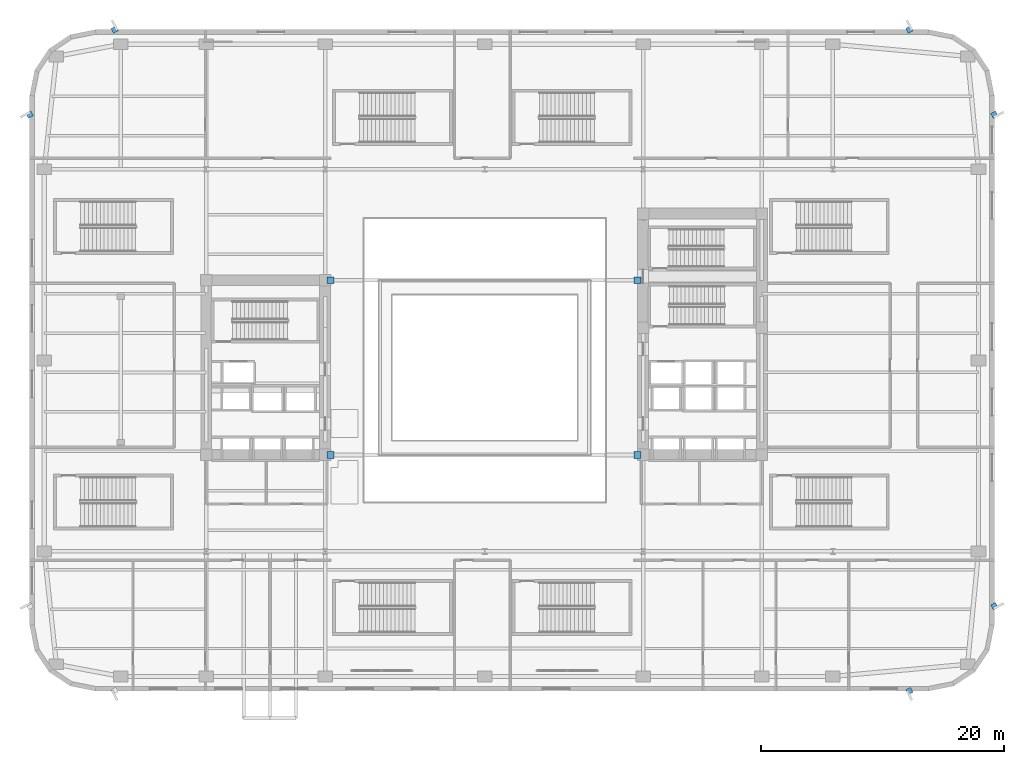
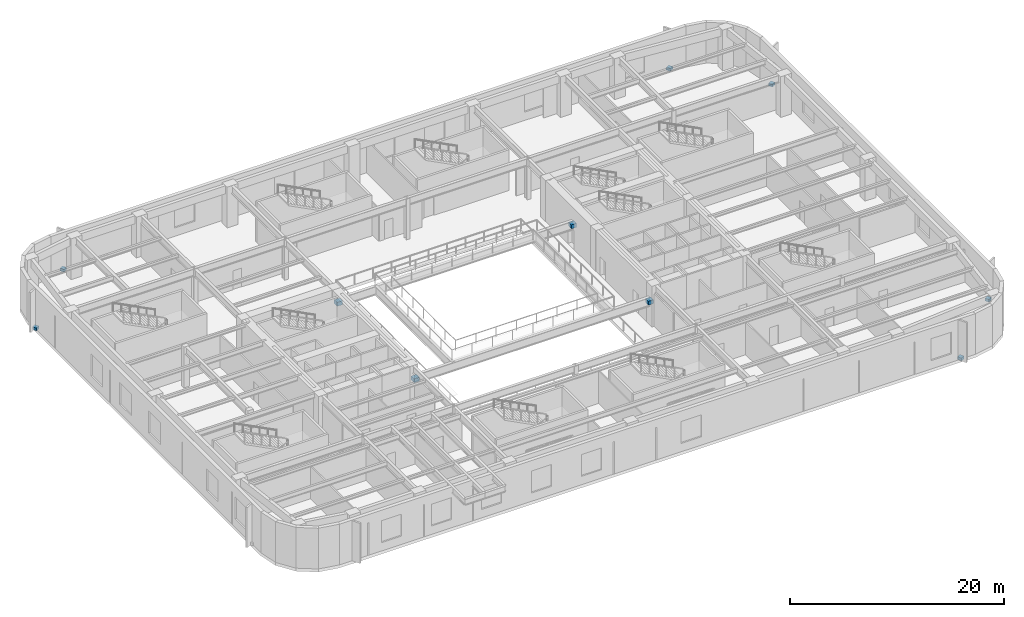
# One storey, part 13 of 24: 10 discrete accessories.
"""IFC4 building model written with IfcOpenShell, lengths in metres."""

import ifcopenshell
import ifcopenshell.guid

model = None  # the IFC model being written
_history = None  # IfcOwnerHistory: only IFC2X3 demands one
_inside = {}  # id of a spatial element -> (the spatial element, [elements in it])
_under = {}  # id of a project, library or spatial element -> (it, [spatial elements below it])
_declared = {}  # id of a project -> (the project, [libraries it declares])
_typed = {}  # id of a type object -> (the type object, [elements of that type])
_made_of = {}  # id of a material, layer set ... -> (it, [elements and type objects made of it])


def new_model(schema):
    """Start an empty IFC model of exactly this schema.

    Asked for "IFC4X3", IfcOpenShell would pick the latest addendum, in which some entities
    have other attributes; the version numbers below select the first issue.
    IFC2X3 requires an IfcOwnerHistory on every rooted entity: one is made here for all.
    """
    global model, _history
    if schema == "IFC4X3":
        model = ifcopenshell.file(schema_version=(4, 3, 0, 0))
    else:
        model = ifcopenshell.file(schema=schema)
    _inside.clear()
    _under.clear()
    _declared.clear()
    _typed.clear()
    _made_of.clear()
    _history = None
    if model.schema == "IFC2X3":
        org = make("IfcOrganization", Name="unknown")
        user = make(
            "IfcPersonAndOrganization",
            ThePerson=make("IfcPerson", FamilyName="unknown"),
            TheOrganization=org,
        )
        app = make(
            "IfcApplication",
            ApplicationDeveloper=org,
            Version="unknown",
            ApplicationFullName="unknown",
            ApplicationIdentifier="unknown",
        )
        _history = make(
            "IfcOwnerHistory",
            OwningUser=user,
            OwningApplication=app,
            ChangeAction="ADDED",
            CreationDate=0,
        )
    return model


def make(cls, **values):
    """One entity of the class cls with the attributes given. An attribute that is None is left unset."""
    return model.create_entity(
        cls, **{name: value for name, value in values.items() if value is not None}
    )


def rooted(cls, **values):
    """An entity with a GlobalId (a new one), such as an element, a storey or a relation."""
    return make(cls, GlobalId=ifcopenshell.guid.new(), OwnerHistory=_history, **values)


def si_unit(unit_type, name, prefix=None):
    """IfcSIUnit, for example si_unit("LENGTHUNIT", "METRE", prefix="MILLI")."""
    return make("IfcSIUnit", UnitType=unit_type, Prefix=prefix, Name=name)


def assignment(units):
    """IfcUnitAssignment: the units of a project."""
    return None if units is None else make("IfcUnitAssignment", Units=units)


def point(xyz):
    """IfcCartesianPoint."""
    return None if xyz is None else make("IfcCartesianPoint", Coordinates=xyz)


def direction(xyz):
    """IfcDirection."""
    return None if xyz is None else make("IfcDirection", DirectionRatios=xyz)


def frame(location, z_axis=None, x_axis=None):
    """IfcAxis2Placement3D, a coordinate frame: its origin and axes. An axis left out is left unset."""
    return make(
        "IfcAxis2Placement3D",
        Location=point(location),
        Axis=direction(z_axis),
        RefDirection=direction(x_axis),
    )


def frame_2d(location, x_axis=None):
    """IfcAxis2Placement2D, a coordinate frame in the plane: its origin and x axis."""
    return make(
        "IfcAxis2Placement2D", Location=point(location), RefDirection=direction(x_axis)
    )


def origin():
    """The frame at (0, 0, 0) with its axes left unset."""
    return frame((0.0, 0.0, 0.0))


def origin_2d():
    """The frame at (0, 0) in the plane with its x axis left unset."""
    return frame_2d((0.0, 0.0))


def place(relative_to, where):
    """IfcLocalPlacement: puts the frame where relative to a parent placement (None: the world)."""
    return make(
        "IfcLocalPlacement", PlacementRelTo=relative_to, RelativePlacement=where
    )


def context(
    kind, dimensions, precision=None, world=None, true_north=None, identifier=None
):
    """IfcGeometricRepresentationContext, for example the 3D "Model" context."""
    return make(
        "IfcGeometricRepresentationContext",
        ContextIdentifier=identifier,
        ContextType=kind,
        CoordinateSpaceDimension=dimensions,
        Precision=precision,
        WorldCoordinateSystem=world,
        TrueNorth=true_north,
    )


def subcontext(parent, identifier, kind, view, scale=None):
    """IfcGeometricRepresentationSubContext, for example "Body" below "Model"."""
    return make(
        "IfcGeometricRepresentationSubContext",
        ContextIdentifier=identifier,
        ContextType=kind,
        ParentContext=parent,
        TargetScale=scale,
        TargetView=view,
    )


def project(units=None, contexts=None):
    """IfcProject with its units and contexts."""
    return rooted(
        "IfcProject",
        Name="project",
        RepresentationContexts=contexts,
        UnitsInContext=assignment(units),
    )


def spatial(cls, under=None, at=None, **own):
    """A site, building, storey or space (cls), placed at a placement, below another one or the project."""
    s = rooted(cls, ObjectPlacement=at, **own)
    if under is not None:
        _under.setdefault(under.id(), (under, []))[1].append(s)
    return s


def profile(cls, at=None, kind="AREA", **sizes):
    """A parametric profile (cls). Its sizes go by their IFC names, for example OverallWidth=200.0."""
    return make(cls, ProfileType=kind, Position=at, **sizes)


def rectangle(**sizes):
    """IfcRectangleProfileDef."""
    return profile("IfcRectangleProfileDef", **sizes)


def extrude(swept, where, along, depth):
    """IfcExtrudedAreaSolid: the profile swept, set in the frame where, extruded along a direction by depth."""
    return make(
        "IfcExtrudedAreaSolid",
        SweptArea=swept,
        Position=where,
        ExtrudedDirection=direction(along),
        Depth=depth,
    )


def shape(context_of_items, identifier, shape_type, items):
    """IfcShapeRepresentation: the items that make up one representation, for example the "Body"."""
    return make(
        "IfcShapeRepresentation",
        ContextOfItems=context_of_items,
        RepresentationIdentifier=identifier,
        RepresentationType=shape_type,
        Items=items,
    )


def material(Name=None, Category=None):
    """IfcMaterial."""
    return make("IfcMaterial", Name=Name, Category=Category)


def made_of(thing, what):
    """Note that an element or type object is made of a material, layer set ...; save() writes the relation."""
    if what is not None:
        _made_of.setdefault(what.id(), (what, []))[1].append(thing)
    return thing


def type_object(cls, material=None, **own):
    """A type object (cls), such as IfcWallType, which elements share."""
    return made_of(rooted(cls, **own), material)


def element(
    cls,
    number,
    at=None,
    inside=None,
    cuts=None,
    type_object=None,
    material=None,
    context=None,
    identifier="Body",
    shape_type=None,
    held_by="IfcProductDefinitionShape",
    body=None,
    shapes=None,
    **own,
):
    """One element of the class cls, such as IfcWall. Its Tag is "e" and its number.

    at: its placement. inside: the storey or other place that contains it. cuts: it is an
    opening in that element (IfcRelVoidsElement). A single representation is given by context,
    identifier, shape_type and body (its items); several are given by shapes. held_by: the class
    of the entity that holds the representations. save() writes the other relations.
    """
    e = rooted(cls, Tag="e%d" % number, ObjectPlacement=at, **own)
    if body is not None:
        shapes = [shape(context, identifier, shape_type, body)]
    if shapes is not None:
        e.Representation = make(held_by, Representations=shapes)
    if inside is not None:
        _inside.setdefault(inside.id(), (inside, []))[1].append(e)
    if cuts is not None:
        rooted(
            "IfcRelVoidsElement", RelatingBuildingElement=cuts, RelatedOpeningElement=e
        )
    if type_object is not None:
        _typed.setdefault(type_object.id(), (type_object, []))[1].append(e)
    return made_of(e, material)


def aggregate(whole, parts):
    """IfcRelAggregates: a whole, such as a stair, and the parts it consists of."""
    return rooted("IfcRelAggregates", RelatingObject=whole, RelatedObjects=parts)


def save(model, path):
    """Write the relations noted so far, then the file.

    IfcRelAggregates (storeys below a building ...), IfcRelContainedInSpatialStructure (elements
    in a storey), IfcRelDefinesByType, IfcRelAssociatesMaterial and IfcRelDeclares: one each for
    every whole, place, type object, material and project.
    """
    for whole, parts in _under.values():
        aggregate(whole, parts)
    for where, things in _inside.values():
        rooted(
            "IfcRelContainedInSpatialStructure",
            RelatedElements=things,
            RelatingStructure=where,
        )
    for kind, things in _typed.values():
        rooted("IfcRelDefinesByType", RelatedObjects=things, RelatingType=kind)
    for what, things in _made_of.values():
        rooted("IfcRelAssociatesMaterial", RelatedObjects=things, RelatingMaterial=what)
    for by, libraries in _declared.values():
        rooted("IfcRelDeclares", RelatingContext=by, RelatedDefinitions=libraries)
    model.write(path)


model = new_model("IFC4")

# Units and contexts
model_context = context("Model", 3, precision=1e-05, world=origin(), true_north=direction((0.0, 1.0)))
body_context = subcontext(model_context, "Body", "Model", "MODEL_VIEW")
ifc_project = project(units=[si_unit("LENGTHUNIT", "METRE"), si_unit("AREAUNIT", "SQUARE_METRE"), si_unit("VOLUMEUNIT", "CUBIC_METRE"), si_unit("PLANEANGLEUNIT", "RADIAN"), si_unit("MASSUNIT", "GRAM", prefix="KILO")], contexts=[model_context])

# Site, building, storey
site_placement = place(None, origin())
site = spatial("IfcSite", under=ifc_project, at=site_placement, CompositionType="ELEMENT")
building_placement = place(site_placement, origin())
building = spatial("IfcBuilding", under=site, at=building_placement, Name="Kolvaren Arena Tower", CompositionType="ELEMENT")
storey_placement = place(building_placement, frame((0.0, 0.0, 23.0)))
storey = spatial("IfcBuildingStorey", under=building, at=storey_placement, Name="L04", CompositionType="ELEMENT", Elevation=23.0)

# Discrete accessories
ifc_material_1 = material(Name="Stainless steel facade support bracket", Category="steel")
discrete_accessory_type_1 = type_object("IfcDiscreteAccessoryType", Name="ACC-BRKT-1", PredefinedType="BRACKET", material=ifc_material_1)
for number, where, z_axis, x_axis, name in (
    (1, (79.5, 47.5, 0.02001953125), (0.0, 0.0, 1.0), (0.882947592859, 0.469471562786, 0.0), "Arena Fin Anchor Bracket (L04)"),
    (2, (79.5, 7.0, 0.02001953125), (0.0, 0.0, 1.0), (0.882947592859, 0.469471562786, 0.0), "Arena Fin Anchor Bracket (L04)"),
    (3, (7.0, 54.5, 0.02001953125), (0.0, 0.0, 1.0), (-0.469471562786, 0.882947592859, 0.0), "Arena Fin Anchor Bracket (L04)"),
    (4, (72.5, 54.5, 0.02001953125), (0.0, 0.0, 1.0), (-0.469471562786, 0.882947592859, 0.0), "Arena Fin Anchor Bracket (L04)"),
    (5, (0.0, 47.5, 0.02001953125), (0.0, 0.0, 1.0), (-0.882947592859, -0.469471562786, 0.0), "Arena Fin Anchor Bracket (L04)"),
    (6, (72.5, 0.0, 0.02001953125), (0.0, 0.0, 1.0), (0.469471562786, -0.882947592859, 0.0), "Arena Fin Anchor Bracket (L04)"),
):
    element("IfcDiscreteAccessory", number, at=place(storey_placement, frame(where, z_axis=z_axis, x_axis=x_axis)), inside=storey, type_object=discrete_accessory_type_1, Name=name, PredefinedType="BRACKET", context=body_context, shape_type="SweptSolid", body=[
        extrude(rectangle(XDim=0.449951171875, YDim=0.449951171875, at=origin_2d()), origin(), (0.0, 0.0, 1.0), 0.300048828125),
    ])
ifc_material_2 = material(Name="Steel CSA G40.21 350W bolted gusset connection", Category="steel")
discrete_accessory_type_2 = type_object("IfcDiscreteAccessoryType", Name="ACC-CONN-1", PredefinedType="BRACKET", material=ifc_material_2)
for number, where, z_axis, x_axis, name in (
    (7, (24.800048828125, 19.449951171875, 2.464111328125), (0.0, 0.0, 1.0), (1.0, 0.0, 0.0), "Core Wall Cast-In Embed Plate EP1 (L04)"),
    (8, (50.10009765625, 19.449951171875, 2.464111328125), (0.0, 0.0, 1.0), (1.0, 0.0, 0.0), "Core Wall Cast-In Embed Plate EP1 (L04)"),
    (9, (24.800048828125, 33.85009765625, 2.464111328125), (0.0, 0.0, 1.0), (1.0, 0.0, 0.0), "Core Wall Cast-In Embed Plate EP1 (L04)"),
    (10, (50.10009765625, 33.85009765625, 2.464111328125), (0.0, 0.0, 1.0), (1.0, 0.0, 0.0), "Core Wall Cast-In Embed Plate EP1 (L04)"),
):
    element("IfcDiscreteAccessory", number, at=place(storey_placement, frame(where, z_axis=z_axis, x_axis=x_axis)), inside=storey, type_object=discrete_accessory_type_2, Name=name, PredefinedType="BRACKET", context=body_context, shape_type="SweptSolid", body=[
        extrude(rectangle(XDim=0.56005859375, YDim=0.56005859375, at=origin_2d()), origin(), (0.0, 0.0, 1.0), 0.43994140625),
    ])

save(model, "model.ifc")
